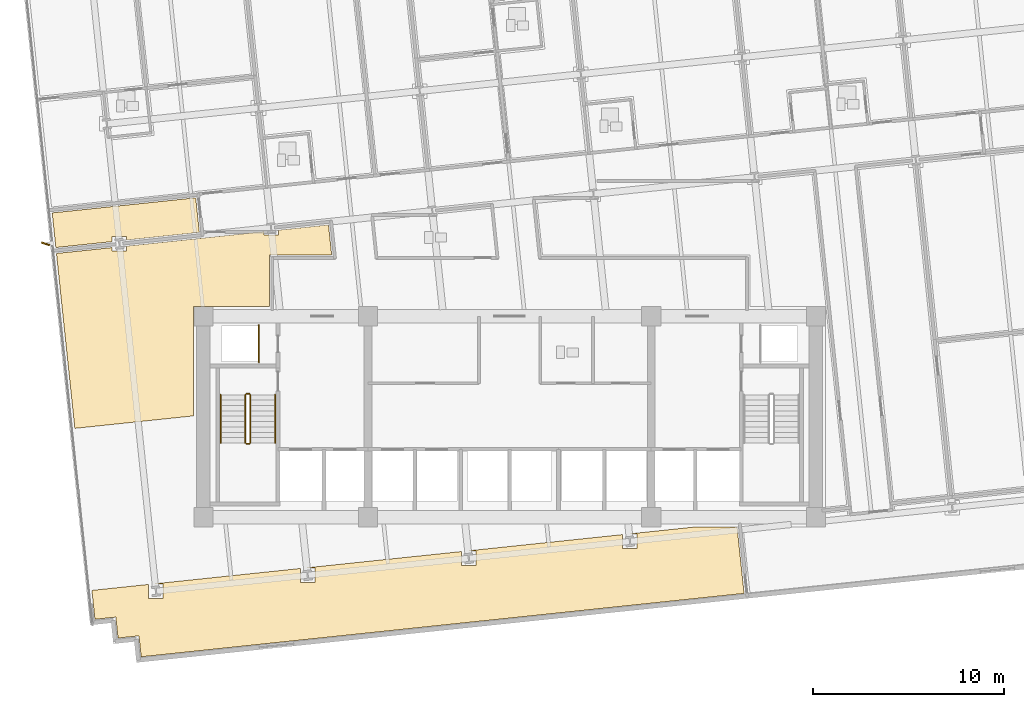
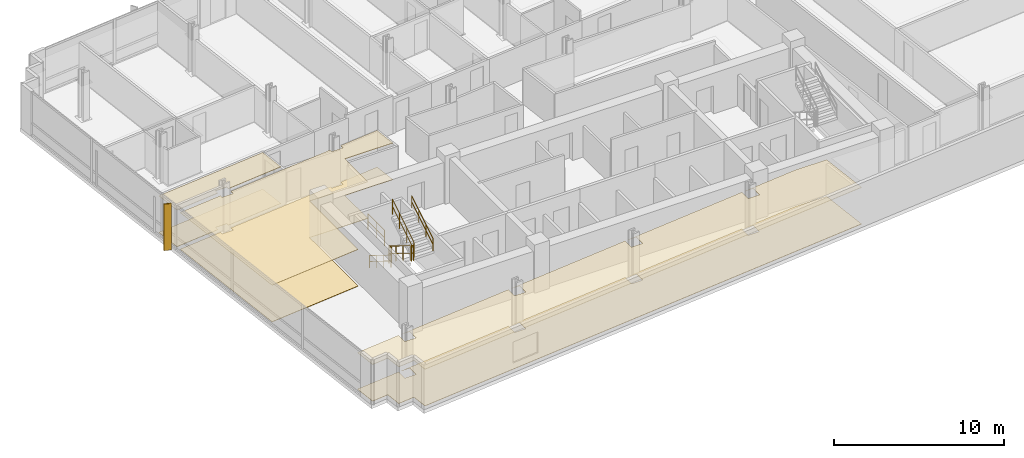
# One storey, part 15 of 19: 7 railings, 6 coverings, 1 shading device.
"""IFC4 building model written with IfcOpenShell, lengths in metres."""

from ifc_helpers import new_model, si_unit, direction, frame, origin, origin_2d, place, context, subcontext, project, spatial, polyline, rectangle, circle, outline, extrude, material, layer, layer_set, type_object, element, save


model = new_model("IFC4")

# Units and contexts
model_context = context("Model", 3, precision=1e-05, world=origin(), true_north=direction((0.0, 1.0)))
body_context = subcontext(model_context, "Body", "Model", "MODEL_VIEW")
ifc_project = project(units=[si_unit("LENGTHUNIT", "METRE"), si_unit("AREAUNIT", "SQUARE_METRE"), si_unit("VOLUMEUNIT", "CUBIC_METRE"), si_unit("PLANEANGLEUNIT", "RADIAN"), si_unit("MASSUNIT", "GRAM", prefix="KILO")], contexts=[model_context])

# Site, building, storey
site_placement = place(None, origin())
site = spatial("IfcSite", under=ifc_project, at=site_placement, CompositionType="ELEMENT")
building_placement = place(site_placement, origin())
building = spatial("IfcBuilding", under=site, at=building_placement, Name="Solmavex Isthmus Hotel", CompositionType="ELEMENT")
storey_placement = place(building_placement, frame((0.0, 0.0, 83.550048828125)))
storey = spatial("IfcBuildingStorey", under=building, at=storey_placement, Name="L22", CompositionType="ELEMENT", Elevation=83.550048828125)

# Coverings
ifc_material_1 = material(Name="Gypsum plasterboard lining", Category="gypsum")
ifc_layer_1 = layer(ifc_material_1, 0.030029296875)
ifc_layer_set_1 = layer_set([ifc_layer_1], Name="Gypsum plasterboard lining")
covering_type_1 = type_object("IfcCoveringType", Name="COV-CEIL-GYP", PredefinedType="CEILING", material=ifc_layer_set_1)
covering_1_placement = place(storey_placement, frame((0.0, 0.0, 2.619873046875)))
element("IfcCovering", 1, at=covering_1_placement, inside=storey, type_object=covering_type_1, Name="Suspended Acoustic Ceiling L22-FL11", PredefinedType="CEILING", context=body_context, shape_type="SweptSolid", body=[
    extrude(outline(polyline([(-16.20947265625, 1.88037109375), (-16.399658203125, 3.690185546875), (-23.896240234375, 2.90234375), (-23.7060546875, 1.09228515625), (-20.76318359375, 1.401611328125), (-20.76318359375, 1.665771484375), (-20.003173828125, 1.665771484375), (-20.003173828125, 1.4814453125), (-16.20947265625, 1.88037109375)])), origin(), (0.0, 0.0, 1.0), 0.030029296875),
])
covering_2_placement = place(storey_placement, frame((0.0, 0.0, 2.619873046875)))
element("IfcCovering", 2, at=covering_2_placement, inside=storey, type_object=covering_type_1, Name="Suspended Acoustic Ceiling L22-FL15", PredefinedType="CEILING", context=body_context, shape_type="SweptSolid", body=[
    extrude(outline(polyline([(-20.003173828125, 1.169921875), (-20.003173828125, 0.90576171875), (-20.76318359375, 0.90576171875), (-20.76318359375, 1.08984375), (-23.673583984375, 0.783935546875), (-23.130615234375, -4.382568359375), (-22.713134765625, -8.355712890625), (-16.5048828125, -7.703125), (-16.5048828125, -1.9951171875), (-12.554931640625, -1.9951171875), (-12.554931640625, 0.705078125), (-9.295654296875, 0.705078125), (-9.4609375, 2.27783203125), (-12.078857421875, 2.002685546875), (-12.078857421875, 1.738525390625), (-12.8388671875, 1.738525390625), (-12.8388671875, 1.9228515625), (-20.003173828125, 1.169921875)])), origin(), (0.0, 0.0, 1.0), 0.030029296875),
])
covering_3_placement = place(storey_placement, frame((0.0, 0.0, 2.619873046875)))
element("IfcCovering", 3, at=covering_3_placement, inside=storey, type_object=covering_type_1, Name="Suspended Acoustic Ceiling L22-FL18", PredefinedType="CEILING", context=body_context, shape_type="SweptSolid", body=[
    extrude(outline(polyline([(-20.57080078125, -18.2158203125), (-20.455810546875, -19.3095703125), (-19.36181640625, -19.194580078125), (-19.246826171875, -20.28857421875), (-18.42626953125, -20.202392578125), (12.249755859375, -16.978271484375), (11.884765625, -13.5048828125), (9.70703125, -13.5048828125), (6.124755859375, -13.881591796875), (6.668212890625, -13.881591796875), (6.668212890625, -14.6416015625), (5.908203125, -14.6416015625), (5.908203125, -13.904296875), (-2.294921875, -14.766357421875), (-1.75146484375, -14.766357421875), (-1.75146484375, -15.5263671875), (-2.511474609375, -15.5263671875), (-2.511474609375, -14.789306640625), (-10.714599609375, -15.6513671875), (-10.171142578125, -15.6513671875), (-10.171142578125, -16.411376953125), (-10.93115234375, -16.411376953125), (-10.93115234375, -15.674072265625), (-18.638916015625, -16.484375), (-18.095458984375, -16.484375), (-18.095458984375, -17.244384765625), (-18.85546875, -17.244384765625), (-18.85546875, -16.507080078125), (-21.823486328125, -16.819091796875), (-21.7509765625, -17.51025390625), (-21.66455078125, -18.33056640625), (-20.57080078125, -18.2158203125)])), origin(), (0.0, 0.0, 1.0), 0.030029296875),
])
ifc_material_2 = material(Name="Travertine natural stone", Category="masonry")
ifc_layer_2 = layer(ifc_material_2, 0.02490234375)
ifc_layer_set_2 = layer_set([ifc_layer_2], Name="Travertine natural stone")
covering_type_2 = type_object("IfcCoveringType", Name="COV-FLOR-STN", PredefinedType="FLOORING", material=ifc_layer_set_2)
covering_4_placement = place(storey_placement, origin())
element("IfcCovering", 4, at=covering_4_placement, inside=storey, type_object=covering_type_2, Name="Stone and Timber Floor Finish L22-FL11", PredefinedType="FLOORING", context=body_context, shape_type="SweptSolid", body=[
    extrude(outline(polyline([(-16.20947265625, 1.88037109375), (-16.399658203125, 3.690185546875), (-23.896240234375, 2.90234375), (-23.7060546875, 1.09228515625), (-20.76318359375, 1.401611328125), (-20.76318359375, 1.665771484375), (-20.003173828125, 1.665771484375), (-20.003173828125, 1.4814453125), (-16.20947265625, 1.88037109375)])), origin(), (0.0, 0.0, 1.0), 0.02490234375),
])
covering_5_placement = place(storey_placement, origin())
element("IfcCovering", 5, at=covering_5_placement, inside=storey, type_object=covering_type_2, Name="Stone and Timber Floor Finish L22-FL15", PredefinedType="FLOORING", context=body_context, shape_type="SweptSolid", body=[
    extrude(outline(polyline([(-20.003173828125, 1.169921875), (-20.003173828125, 0.90576171875), (-20.76318359375, 0.90576171875), (-20.76318359375, 1.08984375), (-23.673583984375, 0.783935546875), (-23.130615234375, -4.382568359375), (-22.713134765625, -8.355712890625), (-16.5048828125, -7.703125), (-16.5048828125, -1.9951171875), (-12.554931640625, -1.9951171875), (-12.554931640625, 0.705078125), (-9.295654296875, 0.705078125), (-9.4609375, 2.27783203125), (-12.078857421875, 2.002685546875), (-12.078857421875, 1.738525390625), (-12.8388671875, 1.738525390625), (-12.8388671875, 1.9228515625), (-20.003173828125, 1.169921875)])), origin(), (0.0, 0.0, 1.0), 0.02490234375),
])
covering_6_placement = place(storey_placement, origin())
element("IfcCovering", 6, at=covering_6_placement, inside=storey, type_object=covering_type_2, Name="Stone and Timber Floor Finish L22-FL18", PredefinedType="FLOORING", context=body_context, shape_type="SweptSolid", body=[
    extrude(outline(polyline([(-20.57080078125, -18.2158203125), (-20.455810546875, -19.3095703125), (-19.36181640625, -19.194580078125), (-19.246826171875, -20.28857421875), (-18.42626953125, -20.202392578125), (12.249755859375, -16.978271484375), (11.884765625, -13.5048828125), (9.70703125, -13.5048828125), (6.124755859375, -13.881591796875), (6.668212890625, -13.881591796875), (6.668212890625, -14.6416015625), (5.908203125, -14.6416015625), (5.908203125, -13.904296875), (-2.294921875, -14.766357421875), (-1.75146484375, -14.766357421875), (-1.75146484375, -15.5263671875), (-2.511474609375, -15.5263671875), (-2.511474609375, -14.789306640625), (-10.714599609375, -15.6513671875), (-10.171142578125, -15.6513671875), (-10.171142578125, -16.411376953125), (-10.93115234375, -16.411376953125), (-10.93115234375, -15.674072265625), (-18.638916015625, -16.484375), (-18.095458984375, -16.484375), (-18.095458984375, -17.244384765625), (-18.85546875, -17.244384765625), (-18.85546875, -16.507080078125), (-21.823486328125, -16.819091796875), (-21.7509765625, -17.51025390625), (-21.66455078125, -18.33056640625), (-20.57080078125, -18.2158203125)])), origin(), (0.0, 0.0, 1.0), 0.02490234375),
])

# Railings
ifc_material_3 = material(Name="Clear low-E laminated glass", Category="glass")
ifc_layer_3 = layer(ifc_material_3, 0.080078125)
ifc_layer_set_3 = layer_set([ifc_layer_3], Name="Clear low-E laminated glass")
railing_type_1 = type_object("IfcRailingType", Name="RAIL-ATRIUM-1120", PredefinedType="BALUSTRADE", material=ifc_layer_set_3)
railing_1_placement = place(storey_placement, frame((-13.10009765625, -4.89990234375, 0.0)))
element("IfcRailing", 7, at=railing_1_placement, inside=storey, type_object=railing_type_1, Name="Guardrail Balustrade L22-RSW-01", PredefinedType="BALUSTRADE", context=body_context, shape_type="SweptSolid", body=[
    extrude(circle(Radius=0.02392578125, at=origin_2d()), frame((0.0, 0.0, 1.1259765625), z_axis=(0.0, 1.0, 0.0), x_axis=(-1.0, 0.0, 0.0)), (0.0, 0.0, 1.0), 1.949951171875),
    extrude(circle(Radius=0.02392578125, at=origin_2d()), frame((0.0, 0.0, 0.574951171875), z_axis=(0.0, 1.0, 0.0), x_axis=(-1.0, 0.0, 0.0)), (0.0, 0.0, 1.0), 1.949951171875),
    extrude(circle(Radius=0.02099609375, at=origin_2d()), origin(), (0.0, 0.0, 1.0), 1.101806640625),
    extrude(circle(Radius=0.02099609375, at=origin_2d()), frame((0.0, 0.97509765625, 0.0)), (0.0, 0.0, 1.0), 1.101806640625),
    extrude(circle(Radius=0.02099609375, at=origin_2d()), frame((0.0, 1.949951171875, 0.0)), (0.0, 0.0, 1.0), 1.101806640625),
])
ifc_material_4 = material(Name="Stainless steel 316", Category="steel")
ifc_layer_4 = layer(ifc_material_4, 0.06005859375)
ifc_layer_set_4 = layer_set([ifc_layer_4], Name="Stainless steel 316")
railing_type_2 = type_object("IfcRailingType", Name="RAIL-STAIR-GD", PredefinedType="GUARDRAIL", material=ifc_layer_set_4)
railing_2_placement = place(storey_placement, frame((-13.800048828125, -6.60009765625, 0.17236328125)))
element("IfcRailing", 8, at=railing_2_placement, inside=storey, type_object=railing_type_2, Name="L22 ST-1 stair guard 1", PredefinedType="GUARDRAIL", context=body_context, shape_type="SweptSolid", body=[
    extrude(circle(Radius=0.02392578125, at=origin_2d()), frame((0.0, 0.0, 1.09619140625), z_axis=(0.0, -0.851400495292, 0.524516154772), x_axis=(1.0, 0.0, 0.0)), (0.0, 0.0, 1.0), 2.9599609375),
    extrude(circle(Radius=0.02392578125, at=origin_2d()), frame((0.0, 0.0, 0.56005859375), z_axis=(0.0, -0.851400495292, 0.524516154772), x_axis=(1.0, 0.0, 0.0)), (0.0, 0.0, 1.0), 2.9599609375),
    extrude(circle(Radius=0.02099609375, at=origin_2d()), origin(), (0.0, 0.0, 1.0), 1.072021484375),
    extrude(circle(Radius=0.02099609375, at=origin_2d()), frame((0.0, -0.840087890625, 0.517578125)), (0.0, 0.0, 1.0), 1.072021484375),
    extrude(circle(Radius=0.02099609375, at=origin_2d()), frame((0.0, -1.679931640625, 1.034912109375)), (0.0, 0.0, 1.0), 1.072021484375),
    extrude(circle(Radius=0.02099609375, at=origin_2d()), frame((0.0, -2.52001953125, 1.552490234375)), (0.0, 0.0, 1.0), 1.072021484375),
])
railing_3_placement = place(storey_placement, frame((-13.75, -9.169921875, 1.724853515625)))
element("IfcRailing", 9, at=railing_3_placement, inside=storey, type_object=railing_type_2, Name="L22 ST-1 stair guard 2", PredefinedType="GUARDRAIL", context=body_context, shape_type="SweptSolid", body=[
    extrude(circle(Radius=0.02392578125, at=origin_2d()), frame((0.0, 0.0, 1.09619140625), z_axis=(1.0, 0.0, 0.0), x_axis=(0.0, 1.0, 0.0)), (0.0, 0.0, 1.0), 0.14990234375),
    extrude(circle(Radius=0.02392578125, at=origin_2d()), frame((0.0, 0.0, 0.56005859375), z_axis=(1.0, 0.0, 0.0), x_axis=(0.0, 1.0, 0.0)), (0.0, 0.0, 1.0), 0.14990234375),
    extrude(circle(Radius=0.02099609375, at=origin_2d()), origin(), (0.0, 0.0, 1.0), 1.072021484375),
    extrude(circle(Radius=0.02099609375, at=origin_2d()), frame((0.14990234375, 0.0, 0.0)), (0.0, 0.0, 1.0), 1.072021484375),
])
railing_4_placement = place(storey_placement, frame((-13.550048828125, -9.1201171875, 1.8974609375)))
element("IfcRailing", 10, at=railing_4_placement, inside=storey, type_object=railing_type_2, Name="L22 ST-1 stair guard 3", PredefinedType="GUARDRAIL", context=body_context, shape_type="SweptSolid", body=[
    extrude(circle(Radius=0.02392578125, at=origin_2d()), frame((0.0, 0.0, 1.09619140625), z_axis=(0.0, 0.851400495292, 0.524516154772), x_axis=(-1.0, 0.0, 0.0)), (0.0, 0.0, 1.0), 2.9599609375),
    extrude(circle(Radius=0.02392578125, at=origin_2d()), frame((0.0, 0.0, 0.56005859375), z_axis=(0.0, 0.851400495292, 0.524516154772), x_axis=(-1.0, 0.0, 0.0)), (0.0, 0.0, 1.0), 2.9599609375),
    extrude(circle(Radius=0.02099609375, at=origin_2d()), origin(), (0.0, 0.0, 1.0), 1.072021484375),
    extrude(circle(Radius=0.02099609375, at=origin_2d()), frame((0.0, 0.840087890625, 0.517578125)), (0.0, 0.0, 1.0), 1.072021484375),
    extrude(circle(Radius=0.02099609375, at=origin_2d()), frame((0.0, 1.679931640625, 1.034912109375)), (0.0, 0.0, 1.0), 1.072021484375),
    extrude(circle(Radius=0.02099609375, at=origin_2d()), frame((0.0, 2.52001953125, 1.552490234375)), (0.0, 0.0, 1.0), 1.072021484375),
])
railing_5_placement = place(storey_placement, frame((-13.75, -6.550048828125, 0.0)))
element("IfcRailing", 11, at=railing_5_placement, inside=storey, type_object=railing_type_2, Name="L22 ST-1 stair guard 4", PredefinedType="GUARDRAIL", context=body_context, shape_type="SweptSolid", body=[
    extrude(circle(Radius=0.02392578125, at=origin_2d()), frame((0.0, 0.0, 1.09619140625), z_axis=(1.0, 0.0, 0.0), x_axis=(0.0, 1.0, 0.0)), (0.0, 0.0, 1.0), 0.14990234375),
    extrude(circle(Radius=0.02392578125, at=origin_2d()), frame((0.0, 0.0, 0.56005859375), z_axis=(1.0, 0.0, 0.0), x_axis=(0.0, 1.0, 0.0)), (0.0, 0.0, 1.0), 0.14990234375),
    extrude(circle(Radius=0.02099609375, at=origin_2d()), origin(), (0.0, 0.0, 1.0), 1.072021484375),
    extrude(circle(Radius=0.02099609375, at=origin_2d()), frame((0.14990234375, 0.0, 0.0)), (0.0, 0.0, 1.0), 1.072021484375),
])
ifc_layer_5 = layer(ifc_material_4, 0.050048828125)
ifc_layer_set_5 = layer_set([ifc_layer_5], Name="Stainless steel 316")
railing_type_3 = type_object("IfcRailingType", Name="RAIL-STAIR-HR", PredefinedType="HANDRAIL", material=ifc_layer_set_5)
railing_6_placement = place(storey_placement, frame((-15.10009765625, -6.60009765625, 0.17236328125)))
element("IfcRailing", 12, at=railing_6_placement, inside=storey, type_object=railing_type_3, Name="L22 ST-1 stair handrail 1", PredefinedType="HANDRAIL", context=body_context, shape_type="SweptSolid", body=[
    extrude(circle(Radius=0.02392578125, at=origin_2d()), frame((0.0, 0.0, 0.8759765625), z_axis=(0.0, -0.851400495292, 0.524516154772), x_axis=(1.0, 0.0, 0.0)), (0.0, 0.0, 1.0), 2.9599609375),
    extrude(circle(Radius=0.02392578125, at=origin_2d()), frame((0.0, 0.0, 0.449951171875), z_axis=(0.0, -0.851400495292, 0.524516154772), x_axis=(1.0, 0.0, 0.0)), (0.0, 0.0, 1.0), 2.9599609375),
    extrude(circle(Radius=0.02099609375, at=origin_2d()), origin(), (0.0, 0.0, 1.0), 0.851806640625),
    extrude(circle(Radius=0.02099609375, at=origin_2d()), frame((0.0, -0.840087890625, 0.517578125)), (0.0, 0.0, 1.0), 0.851806640625),
    extrude(circle(Radius=0.02099609375, at=origin_2d()), frame((0.0, -1.679931640625, 1.034912109375)), (0.0, 0.0, 1.0), 0.851806640625),
    extrude(circle(Radius=0.02099609375, at=origin_2d()), frame((0.0, -2.52001953125, 1.552490234375)), (0.0, 0.0, 1.0), 0.851806640625),
])
railing_7_placement = place(storey_placement, frame((-12.25, -9.1201171875, 1.8974609375)))
element("IfcRailing", 13, at=railing_7_placement, inside=storey, type_object=railing_type_3, Name="L22 ST-1 stair handrail 2", PredefinedType="HANDRAIL", context=body_context, shape_type="SweptSolid", body=[
    extrude(circle(Radius=0.02392578125, at=origin_2d()), frame((0.0, 0.0, 0.8759765625), z_axis=(0.0, 0.851400495292, 0.524516154772), x_axis=(-1.0, 0.0, 0.0)), (0.0, 0.0, 1.0), 2.9599609375),
    extrude(circle(Radius=0.02392578125, at=origin_2d()), frame((0.0, 0.0, 0.449951171875), z_axis=(0.0, 0.851400495292, 0.524516154772), x_axis=(-1.0, 0.0, 0.0)), (0.0, 0.0, 1.0), 2.9599609375),
    extrude(circle(Radius=0.02099609375, at=origin_2d()), origin(), (0.0, 0.0, 1.0), 0.851806640625),
    extrude(circle(Radius=0.02099609375, at=origin_2d()), frame((0.0, 0.840087890625, 0.517578125)), (0.0, 0.0, 1.0), 0.851806640625),
    extrude(circle(Radius=0.02099609375, at=origin_2d()), frame((0.0, 1.679931640625, 1.034912109375)), (0.0, 0.0, 1.0), 0.851806640625),
    extrude(circle(Radius=0.02099609375, at=origin_2d()), frame((0.0, 2.52001953125, 1.552490234375)), (0.0, 0.0, 1.0), 0.851806640625),
])

# Shading device
ifc_material_5 = material(Name="Aluminium alloy 6063-T6", Category="aluminium")
shading_device_type = type_object("IfcShadingDeviceType", Name="SHD-FIN-BRONZE", PredefinedType="USERDEFINED", material=ifc_material_5)
shading_device_placement = place(storey_placement, frame((-24.243896484375, 1.2822265625, -0.14013671875), z_axis=(0.0, 0.0, 1.0), x_axis=(-0.951056516295, 0.309016994375, 0.0)))
element("IfcShadingDevice", 14, at=shading_device_placement, inside=storey, type_object=shading_device_type, Name="Anodised Aluminium Solar Fin L22-W1", ObjectType="SOLAR_FIN", PredefinedType="USERDEFINED", context=body_context, shape_type="SweptSolid", body=[
    extrude(rectangle(XDim=0.449951171875, YDim=0.080078125, at=origin_2d()), origin(), (0.0, 0.0, 1.0), 3.330078125),
])

save(model, "model.ifc")
